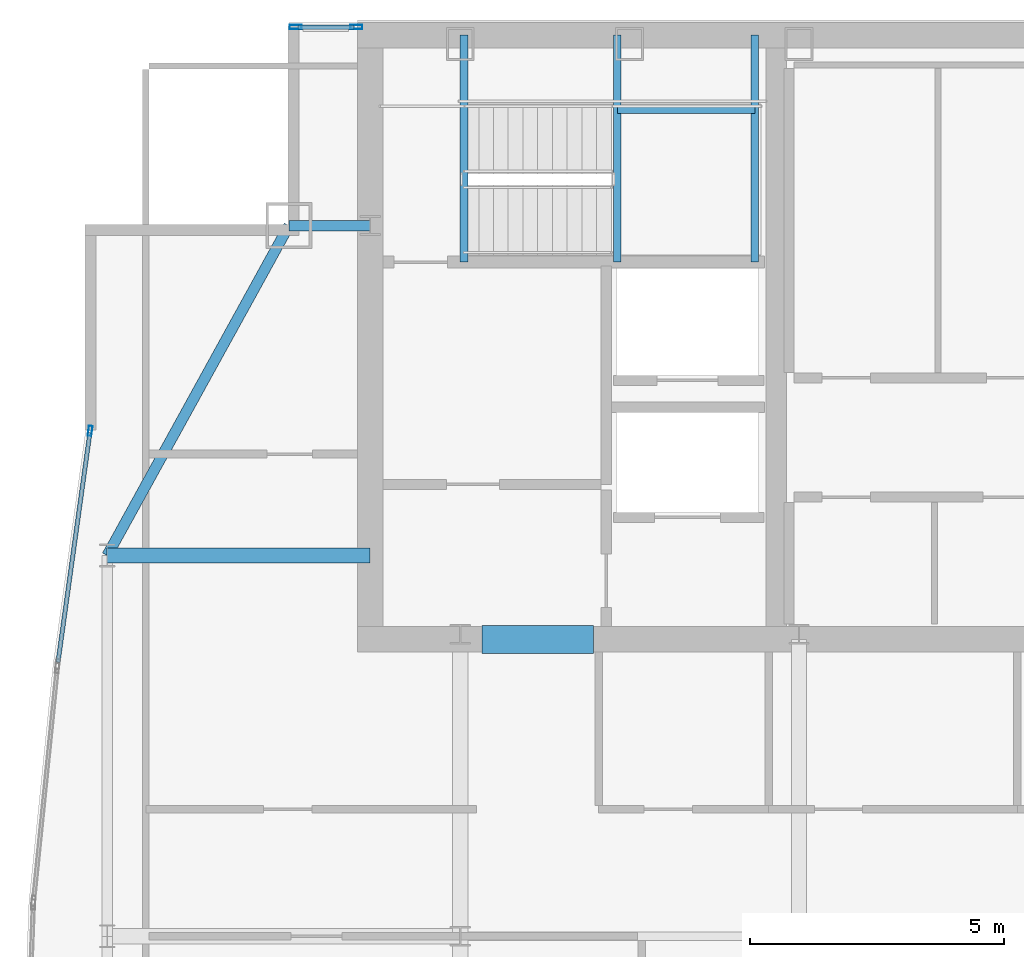
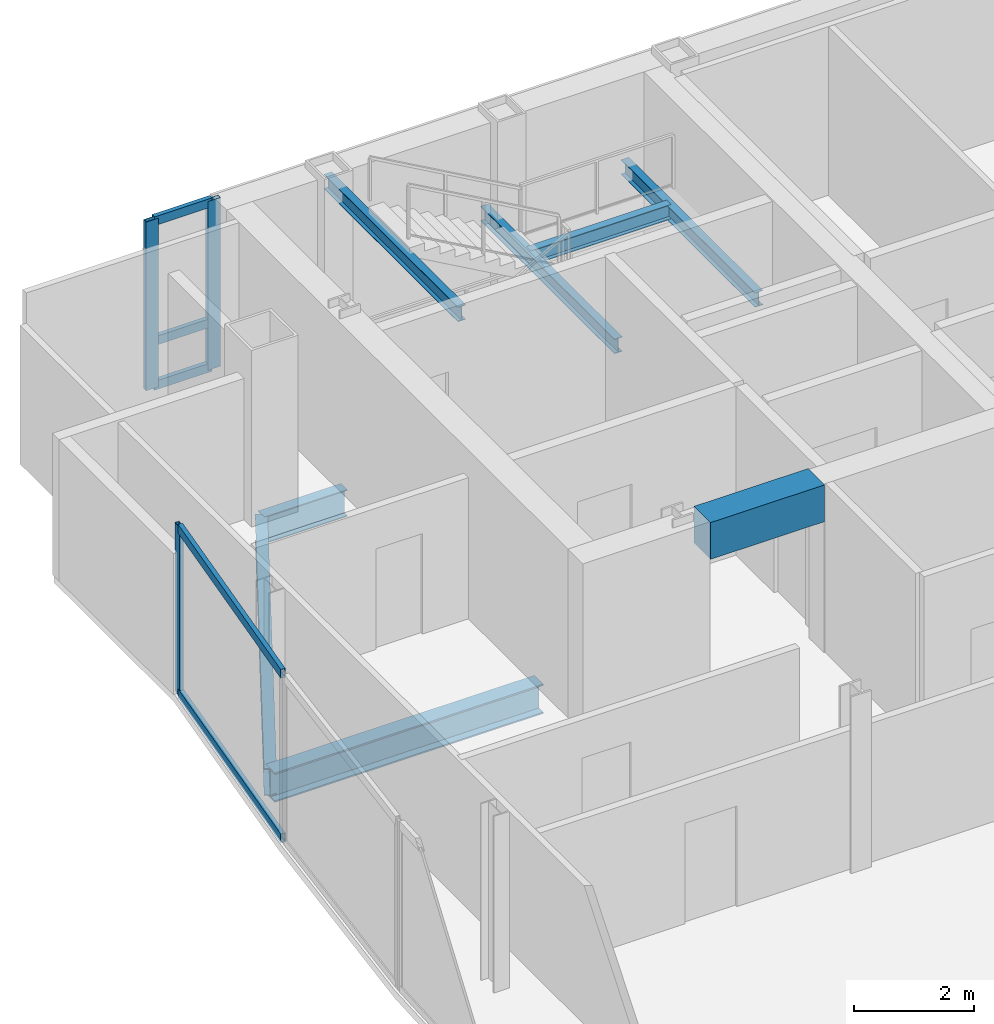
# One storey, part 17 of 26: 8 beams, 8 members, 2 elements without a shape of their own.
"""IFC4 building model written with IfcOpenShell, lengths in metres."""

from ifc_helpers import new_model, si_unit, direction, frame, origin, origin_2d, place, context, subcontext, project, spatial, rectangle, hollow_rectangle, i_section, extrude, material, material_profile, profile_set, type_object, element, aggregate, save


model = new_model("IFC4")

# Units and contexts
model_context = context("Model", 3, precision=1e-05, world=origin(), true_north=direction((0.0, 1.0)))
body_context = subcontext(model_context, "Body", "Model", "MODEL_VIEW")
ifc_project = project(units=[si_unit("LENGTHUNIT", "METRE"), si_unit("AREAUNIT", "SQUARE_METRE"), si_unit("VOLUMEUNIT", "CUBIC_METRE"), si_unit("PLANEANGLEUNIT", "RADIAN"), si_unit("MASSUNIT", "GRAM", prefix="KILO")], contexts=[model_context])

# Site, building, storey
site_placement = place(None, origin())
site = spatial("IfcSite", under=ifc_project, at=site_placement, CompositionType="ELEMENT")
building_placement = place(site_placement, origin())
building = spatial("IfcBuilding", under=site, at=building_placement, Name="Khoronbel Lancet Exchange", CompositionType="ELEMENT")
storey_placement = place(building_placement, frame((0.0, 0.0, 339.800048828125)))
storey = spatial("IfcBuildingStorey", under=building, at=storey_placement, Name="L88", CompositionType="ELEMENT", Elevation=339.800048828125)

# Beams
ifc_material_1 = material(Name="Steel S355", Category="steel")
ifc_material_profile_1 = material_profile(ifc_material_1, i_section(OverallWidth=0.300048828125, OverallDepth=0.60009765625, WebThickness=0.015380859375, FlangeThickness=0.030029296875, at=origin_2d()), Name="HEB 600")
ifc_profile_set_1 = profile_set([ifc_material_profile_1], Name="Steel S355")
beam_type_1 = type_object("IfcBeamType", Name="BM-BG5", PredefinedType="BEAM", material=ifc_profile_set_1)
beam_1_placement = place(storey_placement, frame((11.27001953125, 43.199951171875, -0.4599609375), z_axis=(1.0, 0.0, 0.0), x_axis=(0.0, 1.0, 0.0)))
element("IfcBeam", 1, at=beam_1_placement, inside=storey, type_object=beam_type_1, Name="Level L88 west lens tie girder LG3W", PredefinedType="BEAM", context=body_context, shape_type="SweptSolid", body=[
    extrude(i_section(OverallWidth=0.300048828125, OverallDepth=0.60009765625, WebThickness=0.015380859375, FlangeThickness=0.030029296875, at=origin_2d()), origin(), (0.0, 0.0, 1.0), 5.179931640625),
])
ifc_material_profile_2 = material_profile(ifc_material_1, i_section(OverallWidth=0.14990234375, OverallDepth=0.300048828125, WebThickness=0.007080078125, FlangeThickness=0.0107421875, at=origin_2d()), Name="IPE 300")
ifc_profile_set_2 = profile_set([ifc_material_profile_2], Name="Steel S355")
beam_type_2 = type_object("IfcBeamType", Name="BM-BJ8", PredefinedType="JOIST", material=ifc_profile_set_2)
for number, where, z_axis, x_axis, name in (
    (2, (21.320068359375, 48.97998046875, 1.449951171875), (0.0, 1.0, 0.0), (-1.0, 0.0, 0.0), "Level L88 stair ST1 landing bearer beam 1"),
    (3, (24.030029296875, 48.97998046875, 1.449951171875), (0.0, 1.0, 0.0), (-1.0, 0.0, 0.0), "Level L88 stair ST1 rear landing bearer beam 1"),
):
    element("IfcBeam", number, at=place(storey_placement, frame(where, z_axis=z_axis, x_axis=x_axis)), inside=storey, type_object=beam_type_2, Name=name, PredefinedType="JOIST", context=body_context, shape_type="SweptSolid", body=[
        extrude(i_section(OverallWidth=0.14990234375, OverallDepth=0.300048828125, WebThickness=0.007080078125, FlangeThickness=0.0107421875, at=origin_2d()), origin(), (0.0, 0.0, 1.0), 4.469970703125),
    ])
beam_2_placement = place(storey_placement, frame((21.320068359375, 51.97998046875, 1.449951171875), z_axis=(1.0, 0.0, 0.0), x_axis=(0.0, 1.0, 0.0)))
element("IfcBeam", 4, at=beam_2_placement, inside=storey, type_object=beam_type_2, Name="Level L88 stair ST1 landing cross trimmer beam 1", PredefinedType="JOIST", context=body_context, shape_type="SweptSolid", body=[
    extrude(i_section(OverallWidth=0.14990234375, OverallDepth=0.300048828125, WebThickness=0.007080078125, FlangeThickness=0.0107421875, at=origin_2d()), origin(), (0.0, 0.0, 1.0), 2.7099609375),
])
beam_3_placement = place(storey_placement, frame((18.300048828125, 48.97998046875, 3.159912109375), z_axis=(0.0, 1.0, 0.0), x_axis=(-1.0, 0.0, 0.0)))
element("IfcBeam", 5, at=beam_3_placement, inside=storey, type_object=beam_type_2, Name="Level L88 stair ST1 upper-flight arrival trimmer beam", PredefinedType="JOIST", context=body_context, shape_type="SweptSolid", body=[
    extrude(i_section(OverallWidth=0.14990234375, OverallDepth=0.300048828125, WebThickness=0.007080078125, FlangeThickness=0.0107421875, at=origin_2d()), origin(), (0.0, 0.0, 1.0), 4.469970703125),
])
ifc_material_2 = material(Name="Concrete C60/75", Category="concrete")
ifc_material_profile_3 = material_profile(ifc_material_2, rectangle(XDim=0.550048828125, YDim=0.75, at=origin_2d()), Name="RC 550x750")
ifc_profile_set_3 = profile_set([ifc_material_profile_3], Name="Concrete C60/75")
beam_type_3 = type_object("IfcBeamType", Name="BM-BL2", PredefinedType="LINTEL", material=ifc_profile_set_3)
beam_4_placement = place(storey_placement, frame((18.64990234375, 41.550048828125, 3.06494140625), z_axis=(1.0, 0.0, 0.0), x_axis=(0.0, 1.0, 0.0)))
element("IfcBeam", 6, at=beam_4_placement, inside=storey, type_object=beam_type_3, Name="Level L88 rear core coupling lintel L1", PredefinedType="LINTEL", context=body_context, shape_type="SweptSolid", body=[
    extrude(rectangle(XDim=0.550048828125, YDim=0.75, at=origin_2d()), origin(), (0.0, 0.0, 1.0), 2.2001953125),
])
ifc_material_profile_4 = material_profile(ifc_material_1, i_section(OverallWidth=0.2099609375, OverallDepth=0.550048828125, WebThickness=0.010986328125, FlangeThickness=0.01708984375, at=origin_2d()), Name="IPE 550")
ifc_profile_set_4 = profile_set([ifc_material_profile_4], Name="Steel S355")
beam_type_4 = type_object("IfcBeamType", Name="BM-BSP3", PredefinedType="SPANDREL", material=ifc_profile_set_4)
beam_5_placement = place(storey_placement, frame((14.85009765625, 49.699951171875, -0.43505859375), z_axis=(-0.482444051088, -0.875926787791, 0.0), x_axis=(0.875926787791, -0.482444051088, 0.0)))
element("IfcBeam", 7, at=beam_5_placement, inside=storey, type_object=beam_type_4, Name="Level L88 perimeter spandrel beam SP14", PredefinedType="SPANDREL", context=body_context, shape_type="SweptSolid", body=[
    extrude(i_section(OverallWidth=0.2099609375, OverallDepth=0.550048828125, WebThickness=0.010986328125, FlangeThickness=0.01708984375, at=origin_2d()), origin(), (0.0, 0.0, 1.0), 7.420654296875),
])
beam_6_placement = place(storey_placement, frame((14.85009765625, 49.699951171875, -0.43505859375), z_axis=(1.0, 0.0, 0.0), x_axis=(0.0, 1.0, 0.0)))
element("IfcBeam", 8, at=beam_6_placement, inside=storey, type_object=beam_type_4, Name="Level L88 north flank tie spandrel SP20", PredefinedType="SPANDREL", context=body_context, shape_type="SweptSolid", body=[
    extrude(i_section(OverallWidth=0.2099609375, OverallDepth=0.550048828125, WebThickness=0.010986328125, FlangeThickness=0.01708984375, at=origin_2d()), origin(), (0.0, 0.0, 1.0), 1.599853515625),
])

# Curtain wall, members
ifc_material_3 = material(Name="Low-E Solar Control Insulating Glass", Category="glass")
curtain_wall_type_1 = type_object("IfcCurtainWallType", Name="CW-3", PredefinedType="NOTDEFINED", material=ifc_material_3)
curtain_wall_1_placement = place(storey_placement, origin())
curtain_wall_1 = element("IfcCurtainWall", 9, at=curtain_wall_1_placement, inside=storey, type_object=curtain_wall_type_1, Name="Unitised curtain wall CW-L88-NWFLK", PredefinedType="NOTDEFINED")
ifc_material_4 = material(Name="Bronze-Anodised Aluminium 6063-T6", Category="aluminium")
ifc_material_profile_5 = material_profile(ifc_material_4, hollow_rectangle(XDim=0.0849609375, YDim=0.239990234375, WallThickness=0.006103515625, at=origin_2d()), Name="ALU MULLION 85x240")
ifc_profile_set_5 = profile_set([ifc_material_profile_5], Name="Bronze-Anodised Aluminium 6063-T6")
member_type_1 = type_object("IfcMemberType", Name="MEM-CWM1", PredefinedType="MULLION", material=ifc_profile_set_5)
member_1_placement = place(storey_placement, frame((16.177490234375, 53.610107421875, 0.0), z_axis=(0.0, 0.0, 1.0), x_axis=(0.0, -1.0, 0.0)))
member_1 = element("IfcMember", 10, at=member_1_placement, type_object=member_type_1, Name="CW3 mullion 1", PredefinedType="MULLION", context=body_context, shape_type="SweptSolid", body=[
    extrude(hollow_rectangle(XDim=0.0849609375, YDim=0.239990234375, WallThickness=0.006103515625, at=origin_2d()), origin(), (0.0, 0.0, 1.0), 3.43994140625),
])
member_2_placement = place(storey_placement, frame((14.982421875, 53.610107421875, 0.0), z_axis=(0.0, 0.0, 1.0), x_axis=(0.0, -1.0, 0.0)))
member_2 = element("IfcMember", 11, at=member_2_placement, type_object=member_type_1, Name="CW3 mullion 2", PredefinedType="MULLION", context=body_context, shape_type="SweptSolid", body=[
    extrude(hollow_rectangle(XDim=0.0849609375, YDim=0.239990234375, WallThickness=0.006103515625, at=origin_2d()), origin(), (0.0, 0.0, 1.0), 3.43994140625),
])

curtain_wall_type_2 = type_object("IfcCurtainWallType", Name="CW-4", PredefinedType="NOTDEFINED", material=ifc_material_3)
curtain_wall_2_placement = place(storey_placement, origin())
curtain_wall_2 = element("IfcCurtainWall", 12, at=curtain_wall_2_placement, inside=storey, type_object=curtain_wall_type_2, Name="Unitised curtain wall CW-L88-E09", PredefinedType="NOTDEFINED")
ifc_material_profile_6 = material_profile(ifc_material_4, hollow_rectangle(XDim=0.074951171875, YDim=0.199951171875, WallThickness=0.0048828125, at=origin_2d()), Name="ALU MULLION 75x200")
ifc_profile_set_6 = profile_set([ifc_material_profile_6], Name="Bronze-Anodised Aluminium 6063-T6")
member_type_2 = type_object("IfcMemberType", Name="MEM-CWM2", PredefinedType="MULLION", material=ifc_profile_set_6)
member_3_placement = place(storey_placement, frame((10.934814453125, 45.65673828125, 0.0), z_axis=(0.0, 0.0, 1.0), x_axis=(-0.990474689219, 0.137694916451, 0.0)))
member_3 = element("IfcMember", 13, at=member_3_placement, type_object=member_type_2, Name="CW4 mullion 2", PredefinedType="MULLION", context=body_context, shape_type="SweptSolid", body=[
    extrude(hollow_rectangle(XDim=0.074951171875, YDim=0.199951171875, WallThickness=0.0048828125, at=origin_2d()), origin(), (0.0, 0.0, 1.0), 3.43994140625),
])
ifc_material_profile_7 = material_profile(ifc_material_4, hollow_rectangle(XDim=0.0849609375, YDim=0.179931640625, WallThickness=0.0048828125, at=origin_2d()), Name="ALU TRANSOM 85x180")
ifc_profile_set_7 = profile_set([ifc_material_profile_7], Name="Bronze-Anodised Aluminium 6063-T6")
member_type_3 = type_object("IfcMemberType", Name="MEM-CWT1", PredefinedType="USERDEFINED", material=ifc_profile_set_7)
member_4_placement = place(storey_placement, frame((10.301025390625, 41.0966796875, 0.04248046875), z_axis=(0.137670361332, 0.99047810254, 0.0), x_axis=(-0.99047810254, 0.137670361332, 0.0)))
member_4 = element("IfcMember", 14, at=member_4_placement, type_object=member_type_3, Name="CW4 transom 1.1", ObjectType="TRANSOM", PredefinedType="USERDEFINED", context=body_context, shape_type="SweptSolid", body=[
    extrude(hollow_rectangle(XDim=0.0849609375, YDim=0.179931640625, WallThickness=0.0048828125, at=origin_2d()), origin(), (0.0, 0.0, 1.0), 4.56640625),
])
member_5_placement = place(storey_placement, frame((10.301025390625, 41.0966796875, 3.3974609375), z_axis=(0.137670361332, 0.99047810254, 0.0), x_axis=(-0.99047810254, 0.137670361332, 0.0)))
member_5 = element("IfcMember", 15, at=member_5_placement, type_object=member_type_3, Name="CW4 transom 1.2", ObjectType="TRANSOM", PredefinedType="USERDEFINED", context=body_context, shape_type="SweptSolid", body=[
    extrude(hollow_rectangle(XDim=0.0849609375, YDim=0.179931640625, WallThickness=0.0048828125, at=origin_2d()), origin(), (0.0, 0.0, 1.0), 4.56640625),
])
aggregate(curtain_wall_2, [member_3, member_4, member_5])

# Member
member_6_placement = place(storey_placement, frame((16.135009765625, 53.610107421875, 0.04248046875), z_axis=(-1.0, 0.0, 0.0), x_axis=(0.0, -1.0, 0.0)))
member_6 = element("IfcMember", 16, at=member_6_placement, type_object=member_type_3, Name="CW3 transom 1.1", ObjectType="TRANSOM", PredefinedType="USERDEFINED", context=body_context, shape_type="SweptSolid", body=[
    extrude(hollow_rectangle(XDim=0.0849609375, YDim=0.179931640625, WallThickness=0.0048828125, at=origin_2d()), origin(), (0.0, 0.0, 1.0), 1.110107421875),
])

member_7_placement = place(storey_placement, frame((16.135009765625, 53.610107421875, 0.949951171875), z_axis=(-1.0, 0.0, 0.0), x_axis=(0.0, -1.0, 0.0)))
member_7 = element("IfcMember", 17, at=member_7_placement, type_object=member_type_3, Name="CW3 transom 1.2", ObjectType="TRANSOM", PredefinedType="USERDEFINED", context=body_context, shape_type="SweptSolid", body=[
    extrude(hollow_rectangle(XDim=0.0849609375, YDim=0.179931640625, WallThickness=0.0048828125, at=origin_2d()), origin(), (0.0, 0.0, 1.0), 1.110107421875),
])

member_8_placement = place(storey_placement, frame((16.135009765625, 53.610107421875, 3.3974609375), z_axis=(-1.0, 0.0, 0.0), x_axis=(0.0, -1.0, 0.0)))
member_8 = element("IfcMember", 18, at=member_8_placement, type_object=member_type_3, Name="CW3 transom 1.3", ObjectType="TRANSOM", PredefinedType="USERDEFINED", context=body_context, shape_type="SweptSolid", body=[
    extrude(hollow_rectangle(XDim=0.0849609375, YDim=0.179931640625, WallThickness=0.0048828125, at=origin_2d()), origin(), (0.0, 0.0, 1.0), 1.110107421875),
])

aggregate(curtain_wall_1, [member_1, member_2, member_6, member_7, member_8])

save(model, "model.ifc")
